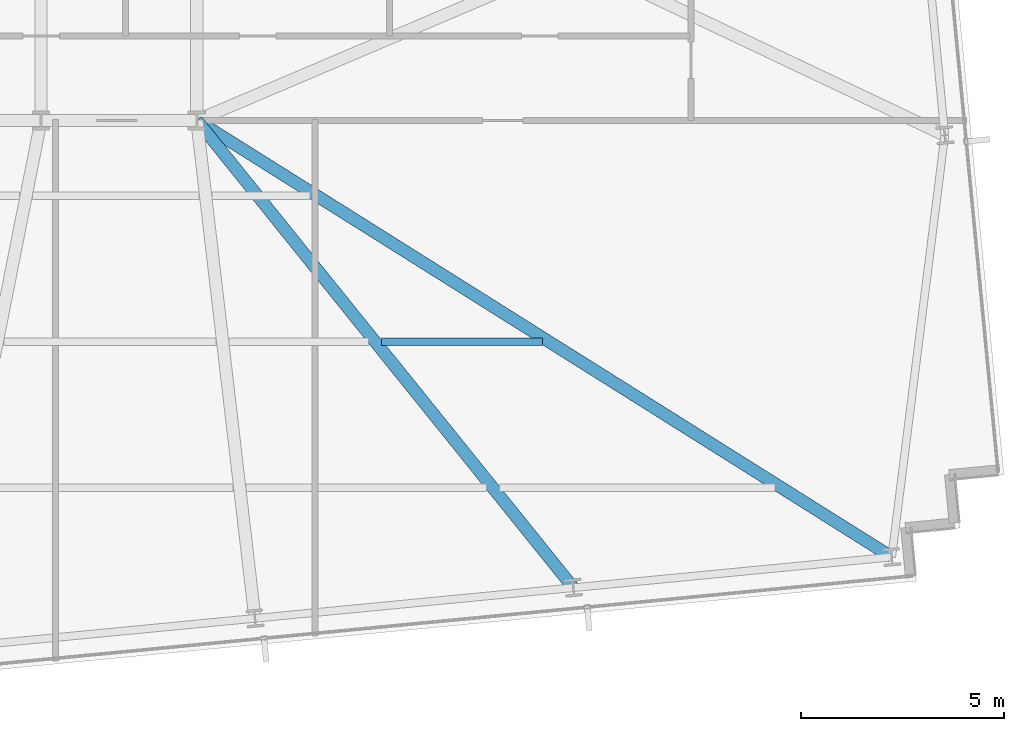
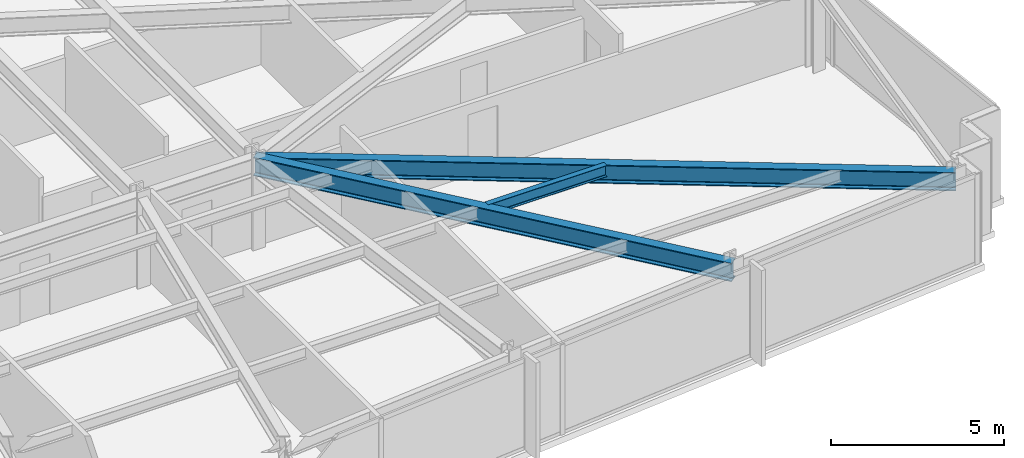
# One storey, part 13 of 32: 3 beams.
"""IFC4 building model written with IfcOpenShell, lengths in metres."""

from ifc_helpers import new_model, si_unit, direction, frame, origin, origin_2d, place, context, subcontext, project, spatial, i_section, extrude, material, material_profile, profile_set, type_object, element, save


model = new_model("IFC4")

# Units and contexts
model_context = context("Model", 3, precision=1e-05, world=origin(), true_north=direction((0.0, 1.0)))
body_context = subcontext(model_context, "Body", "Model", "MODEL_VIEW")
ifc_project = project(units=[si_unit("LENGTHUNIT", "METRE"), si_unit("AREAUNIT", "SQUARE_METRE"), si_unit("VOLUMEUNIT", "CUBIC_METRE"), si_unit("PLANEANGLEUNIT", "RADIAN"), si_unit("MASSUNIT", "GRAM", prefix="KILO")], contexts=[model_context])

# Site, building, storey
site_placement = place(None, origin())
site = spatial("IfcSite", under=ifc_project, at=site_placement, CompositionType="ELEMENT")
building_placement = place(site_placement, origin())
building = spatial("IfcBuilding", under=site, at=building_placement, Name="Yelkora Congress Tower", CompositionType="ELEMENT")
storey_placement = place(building_placement, frame((0.0, 0.0, 93.10009765625)))
storey = spatial("IfcBuildingStorey", under=building, at=storey_placement, Name="L24", CompositionType="ELEMENT", Elevation=93.10009765625)

# Beams
ifc_material = material(Name="Steel S355J2", Category="steel")
ifc_material_profile_1 = material_profile(ifc_material, i_section(OverallWidth=0.300048828125, OverallDepth=0.64990234375, WebThickness=0.01611328125, FlangeThickness=0.031005859375, FilletRadius=0.027099609375, at=origin_2d()), Name="HEB 650")
ifc_profile_set_1 = profile_set([ifc_material_profile_1], Name="Steel S355J2")
beam_type_1 = type_object("IfcBeamType", Name="BM-GIRD-HEB650", PredefinedType="BEAM", material=ifc_profile_set_1)
beam_1_placement = place(storey_placement, frame((66.882568359375, 13.67919921875, 2.85498046875), z_axis=(-0.627405981031, 0.778692323686, 0.0), x_axis=(-0.778692323686, -0.627405981031, 0.0)))
element("IfcBeam", 1, at=beam_1_placement, inside=storey, type_object=beam_type_1, Name="L24 Primary Frame Girder S07", PredefinedType="BEAM", context=body_context, shape_type="SweptSolid", body=[
    extrude(i_section(OverallWidth=0.300048828125, OverallDepth=0.64990234375, WebThickness=0.01611328125, FlangeThickness=0.031005859375, FilletRadius=0.027099609375, at=origin_2d()), origin(), (0.0, 0.0, 1.0), 14.794921875),
])
beam_2_placement = place(storey_placement, frame((74.73193359375, 14.43505859375, 2.85498046875), z_axis=(-0.846718708798, 0.532040814385, 0.0), x_axis=(-0.532040814385, -0.846718708798, 0.0)))
element("IfcBeam", 2, at=beam_2_placement, inside=storey, type_object=beam_type_1, Name="L24 Primary Frame Girder S08", PredefinedType="BEAM", context=body_context, shape_type="SweptSolid", body=[
    extrude(i_section(OverallWidth=0.300048828125, OverallDepth=0.64990234375, WebThickness=0.01611328125, FlangeThickness=0.031005859375, FilletRadius=0.027099609375, at=origin_2d()), origin(), (0.0, 0.0, 1.0), 20.233154296875),
])
ifc_material_profile_2 = material_profile(ifc_material, i_section(OverallWidth=0.179931640625, OverallDepth=0.39990234375, WebThickness=0.008544921875, FlangeThickness=0.013427734375, FilletRadius=0.02099609375, at=origin_2d()), Name="IPE 400")
ifc_profile_set_2 = profile_set([ifc_material_profile_2], Name="Steel S355J2")
beam_type_2 = type_object("IfcBeamType", Name="BM-JOIST-IPE400", PredefinedType="JOIST", material=ifc_profile_set_2)
beam_3_placement = place(storey_placement, frame((62.15576171875, 19.744384765625, 2.97998046875), z_axis=(1.0, 0.0, 0.0), x_axis=(0.0, 1.0, 0.0)))
element("IfcBeam", 3, at=beam_3_placement, inside=storey, type_object=beam_type_2, Name="L24 Composite Floor Joist 17", PredefinedType="JOIST", context=body_context, shape_type="SweptSolid", body=[
    extrude(i_section(OverallWidth=0.179931640625, OverallDepth=0.39990234375, WebThickness=0.008544921875, FlangeThickness=0.013427734375, FilletRadius=0.02099609375, at=origin_2d()), origin(), (0.0, 0.0, 1.0), 3.966552734375),
])

save(model, "model.ifc")
